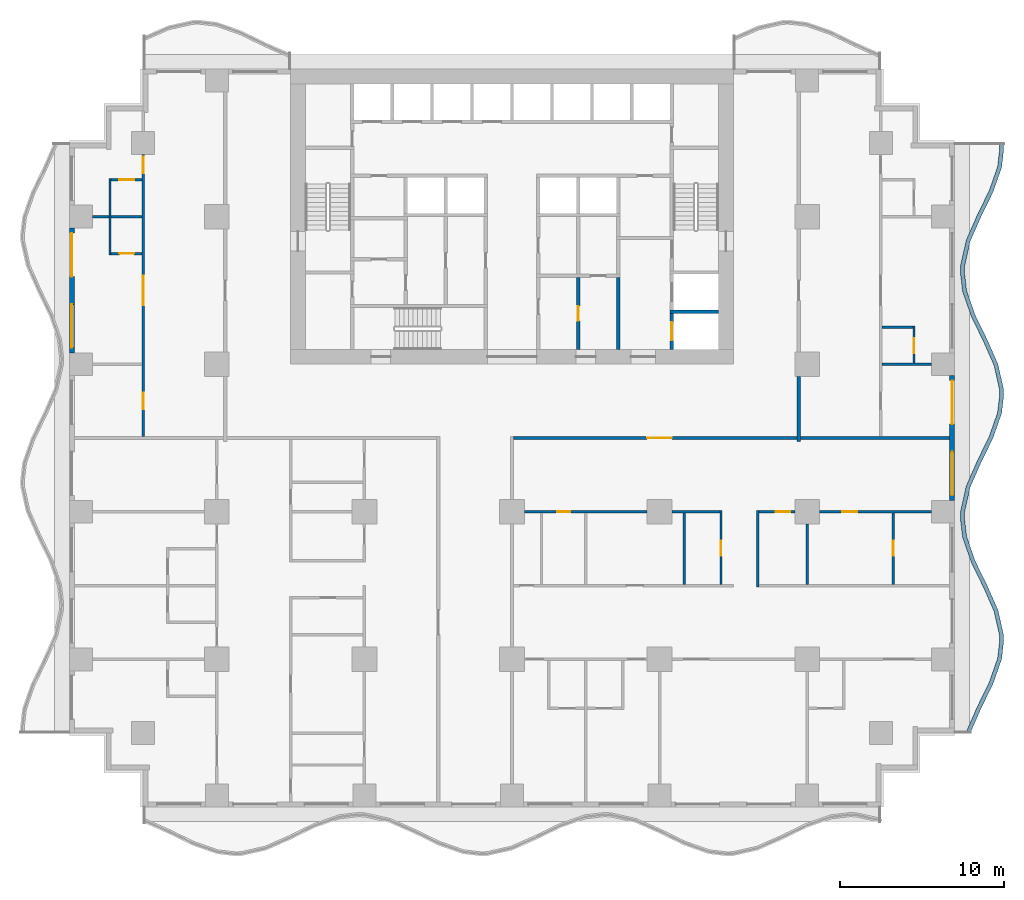
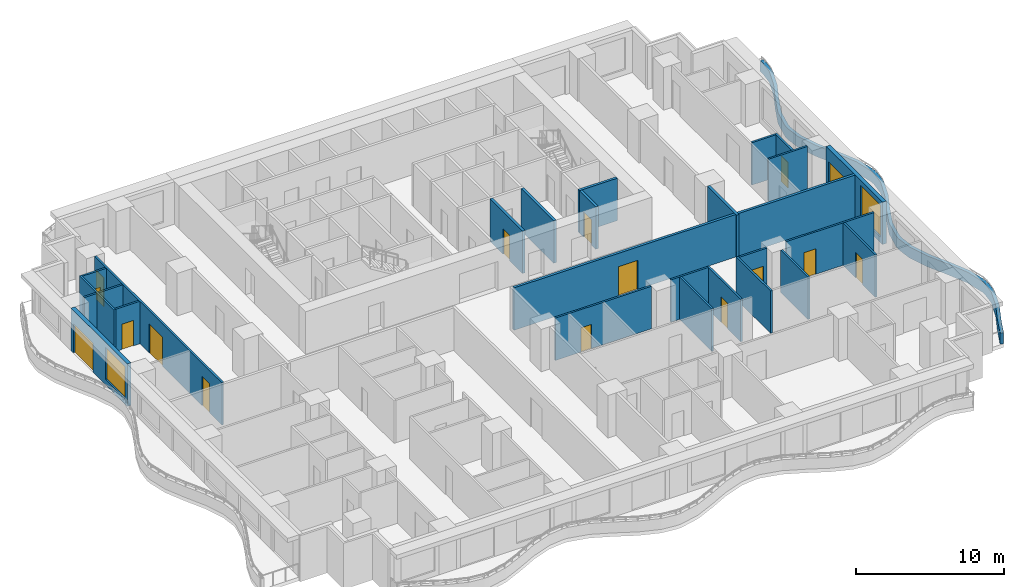
# One storey, part 4 of 14: 28 walls, 16 doors, 2 windows, 18 openings.
"""IFC4 building model written with IfcOpenShell, lengths in metres."""

from ifc_helpers import new_model, si_unit, direction, frame, frame_2d, origin, place, context, subcontext, project, spatial, polyline, rectangle, outline, extrude, material, layer, layer_set, type_object, element, fill, save


model = new_model("IFC4")

# Units and contexts
model_context = context("Model", 3, precision=1e-05, world=origin(), true_north=direction((0.0, 1.0)))
body_context = subcontext(model_context, "Body", "Model", "MODEL_VIEW")
ifc_project = project(units=[si_unit("LENGTHUNIT", "METRE"), si_unit("AREAUNIT", "SQUARE_METRE"), si_unit("VOLUMEUNIT", "CUBIC_METRE"), si_unit("PLANEANGLEUNIT", "RADIAN"), si_unit("MASSUNIT", "GRAM", prefix="KILO")], contexts=[model_context])

# Site, building, storey
site_placement = place(None, origin())
site = spatial("IfcSite", under=ifc_project, at=site_placement, CompositionType="ELEMENT")
building_placement = place(site_placement, origin())
building = spatial("IfcBuilding", under=site, at=building_placement, Name="Orbiselva Terraces", CompositionType="ELEMENT")
storey_placement = place(building_placement, frame((0.0, 0.0, 41.6)))
storey = spatial("IfcBuildingStorey", under=building, at=storey_placement, Name="L10", CompositionType="ELEMENT", Elevation=41.6)

# Wall, opening, door
ifc_material_1 = material(Name="Masonry blockwork", Category="masonry")
ifc_layer_1 = layer(ifc_material_1, 0.2)
ifc_layer_set_1 = layer_set([ifc_layer_1], Name="Masonry blockwork")
wall_type_1 = type_object("IfcWallType", Name="CORE-WALL-PARTITION-200", PredefinedType="PARTITIONING", material=ifc_layer_set_1)
wall_1_placement = place(storey_placement, frame((4.0375, 9.8, 0.0), z_axis=(0.0, 0.0, 1.0), x_axis=(0.0, -1.0, 0.0)))
wall_1 = element("IfcWall", 1, at=wall_1_placement, inside=storey, type_object=wall_type_1, Name="L10 core wall 36", PredefinedType="PARTITIONING", context=body_context, shape_type="SweptSolid", body=[
    extrude(rectangle(XDim=4.4, YDim=0.2, at=frame_2d((2.2, 0.0))), origin(), (0.0, 0.0, 1.0), 3.5),
])
opening_1_placement = place(wall_1_placement, frame((1.75, 0.0, 0.0)))
opening_1 = element("IfcOpeningElement", 2, at=opening_1_placement, cuts=wall_1, Name="Opening DR900", PredefinedType="OPENING", context=body_context, shape_type="SweptSolid", body=[
    extrude(rectangle(XDim=0.9, YDim=2.1, at=frame_2d((0.45, 1.05))), frame((0.0, 0.11, 0.0), z_axis=(0.0, -1.0, 0.0), x_axis=(1.0, 0.0, 0.0)), (0.0, 0.0, 1.0), 0.22),
])
ifc_material_2 = material(Name="Steel fire door", Category="steel")
door_type_1 = type_object("IfcDoorType", Name="ROOM DOOR 900", OperationType="NOTDEFINED", PredefinedType="DOOR", material=ifc_material_2)
door_1_placement = place(opening_1_placement, origin())
door_1 = element("IfcDoor", 3, at=door_1_placement, inside=storey, type_object=door_type_1, Name="L10 SPARE PARTS STORE door", OperationType="SINGLE_SWING_LEFT", OverallHeight=2.1, OverallWidth=0.9, PredefinedType="DOOR", context=body_context, shape_type="SweptSolid", body=[
    extrude(rectangle(XDim=0.9, YDim=2.1, at=frame_2d((0.45, 1.05))), frame((0.0, 0.025, 0.0), z_axis=(0.0, -1.0, 0.0), x_axis=(1.0, 0.0, 0.0)), (0.0, 0.0, 1.0), 0.05),
])
fill(opening_1, door_1)

# Wall
ifc_material_3 = material(Name="Concrete C60/75", Category="concrete")
ifc_layer_2 = layer(ifc_material_3, 0.2)
ifc_layer_set_2 = layer_set([ifc_layer_2], Name="Concrete C60/75")
wall_type_2 = type_object("IfcWallType", Name="CORE-WALL-SHEAR-200", PredefinedType="SHEAR", material=ifc_layer_set_2)
wall_2_placement = place(storey_placement, frame((6.475, 5.4, 0.0), z_axis=(0.0, 0.0, 1.0), x_axis=(0.0, 1.0, 0.0)))
element("IfcWall", 4, at=wall_2_placement, inside=storey, type_object=wall_type_2, Name="L10 core wall 40", PredefinedType="SHEAR", context=body_context, shape_type="SweptSolid", body=[
    extrude(rectangle(XDim=4.4, YDim=0.2, at=frame_2d((2.2, 0.0))), origin(), (0.0, 0.0, 1.0), 3.5),
])

# Wall, opening, door
wall_3_placement = place(storey_placement, frame((9.75, 5.4, 0.0), z_axis=(0.0, 0.0, 1.0), x_axis=(0.0, 1.0, 0.0)))
wall_3 = element("IfcWall", 5, at=wall_3_placement, inside=storey, type_object=wall_type_2, Name="L10 core wall 46", PredefinedType="SHEAR", context=body_context, shape_type="SweptSolid", body=[
    extrude(rectangle(XDim=2.2, YDim=0.2, at=frame_2d((1.1, 0.0))), origin(), (0.0, 0.0, 1.0), 3.5),
])
opening_2_placement = place(wall_3_placement, frame((0.55, 0.0, 0.0)))
opening_2 = element("IfcOpeningElement", 6, at=opening_2_placement, cuts=wall_3, Name="Opening LD-FF1", PredefinedType="OPENING", context=body_context, shape_type="SweptSolid", body=[
    extrude(rectangle(XDim=1.1, YDim=2.1, at=frame_2d((0.55, 1.05))), frame((0.0, 0.11, 0.0), z_axis=(0.0, -1.0, 0.0), x_axis=(1.0, 0.0, 0.0)), (0.0, 0.0, 1.0), 0.22),
])
ifc_material_4 = material(Name="Stainless steel landing door", Category="steel")
door_type_2 = type_object("IfcDoorType", Name="LANDING DOOR 1100", OperationType="SLIDING_TO_LEFT", PredefinedType="DOOR", material=ifc_material_4)
door_2_placement = place(opening_2_placement, origin())
door_2 = element("IfcDoor", 7, at=door_2_placement, inside=storey, type_object=door_type_2, Name="L10 landing door FF1", OperationType="SLIDING_TO_RIGHT", OverallHeight=2.1, OverallWidth=1.1, PredefinedType="DOOR", context=body_context, shape_type="SweptSolid", body=[
    extrude(rectangle(XDim=1.1, YDim=2.1, at=frame_2d((0.55, 1.05))), frame((0.0, 0.025, 0.0), z_axis=(0.0, -1.0, 0.0), x_axis=(1.0, 0.0, 0.0)), (0.0, 0.0, 1.0), 0.05),
])
fill(opening_2, door_2)

# Walls
wall_4_placement = place(storey_placement, frame((9.65, 7.7, 0.0), z_axis=(0.0, 0.0, 1.0), x_axis=(1.0, 0.0, 0.0)))
element("IfcWall", 8, at=wall_4_placement, inside=storey, type_object=wall_type_2, Name="L10 core wall 47", PredefinedType="SHEAR", context=body_context, shape_type="SweptSolid", body=[
    extrude(rectangle(XDim=2.95, YDim=0.2, at=frame_2d((1.475, 0.0))), origin(), (0.0, 0.0, 1.0), 3.5),
])
ifc_material_5 = material(Name="Concrete C40/50", Category="concrete")
ifc_layer_3 = layer(ifc_material_5, 0.25)
ifc_layer_set_3 = layer_set([ifc_layer_3], Name="Concrete C40/50")
wall_type_3 = type_object("IfcWallType", Name="ENV-PLANTER-250x900", PredefinedType="USERDEFINED", material=ifc_layer_set_3)
wall_5_placement = place(storey_placement, origin())
element("IfcWall", 9, at=wall_5_placement, inside=storey, type_object=wall_type_3, Name="Balcony planter L10 E", ObjectType="PLANTER", PredefinedType="USERDEFINED", context=body_context, shape_type="SweptSolid", body=[
    extrude(outline(polyline([(27.951472, -18.0), (28.612279, -16.5), (29.344789, -15.0), (29.869208, -13.5), (30.0, -12.375), (29.985226, -12.0), (29.648528, -10.5), (28.987721, -9.0), (28.255211, -7.5), (27.730792, -6.0), (27.6, -4.875), (27.614774, -4.5), (27.951472, -3.0), (28.612279, -1.5), (29.344789, 0.0), (29.869208, 1.5), (30.0, 2.625), (29.985226, 3.0), (29.648528, 4.5), (28.987721, 6.0), (28.255211, 7.5), (27.730792, 9.0), (27.6, 10.125), (27.614774, 10.5), (27.951472, 12.0), (28.612279, 13.5), (29.344789, 15.0), (29.869208, 16.5), (30.0, 17.625), (29.985226, 18.0), (29.73542, 17.990158), (29.749429, 17.634572), (29.624078, 16.556371), (29.113667, 15.09644), (28.385477, 13.605286), (27.712874, 12.078508), (27.365863, 10.532565), (27.349429, 10.115428), (27.485662, 8.943629), (28.024089, 7.40356), (28.760919, 5.894714), (29.40993, 4.421492), (29.736315, 2.967435), (29.749429, 2.634572), (29.624078, 1.556371), (29.113667, 0.09644), (28.385477, -1.394714), (27.712874, -2.921492), (27.365863, -4.467435), (27.349429, -4.884572), (27.485662, -6.056371), (28.024089, -7.59644), (28.760919, -9.105286), (29.40993, -10.578508), (29.736315, -12.032565), (29.749429, -12.365428), (29.624078, -13.443629), (29.113667, -14.90356), (28.385477, -16.394714), (27.722689, -17.899212), (27.951472, -18.0)])), origin(), (0.0, 0.0, 1.0), 0.9),
])

# Wall, openings, door, window
ifc_material_6 = material(Name="Terracotta cladding on masonry backing", Category="masonry")
ifc_layer_4 = layer(ifc_material_6, 0.3)
ifc_layer_set_4 = layer_set([ifc_layer_4], Name="Terracotta cladding on masonry backing")
wall_type_4 = type_object("IfcWallType", Name="ENV-WALL-TERRACOTTA-300", PredefinedType="SOLIDWALL", material=ifc_layer_set_4)
wall_6_placement = place(storey_placement, frame((26.85, 3.8, 0.0), z_axis=(0.0, 0.0, 1.0), x_axis=(0.0, -1.0, 0.0)))
wall_6 = element("IfcWall", 10, at=wall_6_placement, inside=storey, type_object=wall_type_4, Name="Facade wall L10 E", PredefinedType="SOLIDWALL", context=body_context, shape_type="SweptSolid", body=[
    extrude(rectangle(XDim=7.6, YDim=0.3, at=frame_2d((3.8, 0.0))), origin(), (0.0, 0.0, 1.0), 3.5),
])
opening_3_placement = place(wall_6_placement, frame((4.65, 0.0, 0.45)))
opening_3 = element("IfcOpeningElement", 11, at=opening_3_placement, cuts=wall_6, Name="Opening WN3", PredefinedType="OPENING", context=body_context, shape_type="SweptSolid", body=[
    extrude(rectangle(XDim=2.65, YDim=2.65, at=frame_2d((1.325, 1.325))), frame((0.0, 0.16, 0.0), z_axis=(0.0, -1.0, 0.0), x_axis=(1.0, 0.0, 0.0)), (0.0, 0.0, 1.0), 0.32),
])
opening_4_placement = place(wall_6_placement, frame((0.3, 0.0, 0.0)))
opening_4 = element("IfcOpeningElement", 12, at=opening_4_placement, cuts=wall_6, Name="Opening Z1-C-E18", PredefinedType="OPENING", context=body_context, shape_type="SweptSolid", body=[
    extrude(rectangle(XDim=2.65, YDim=2.4, at=frame_2d((1.325, 1.2))), frame((0.0, 0.16, 0.0), z_axis=(0.0, -1.0, 0.0), x_axis=(1.0, 0.0, 0.0)), (0.0, 0.0, 1.0), 0.32),
])
ifc_material_7 = material(Name="Clear low-e glazing in aluminium frame", Category="aluminium")
door_type_3 = type_object("IfcDoorType", Name="BALCONY DOOR 2650 X 2400", OperationType="DOUBLE_DOOR_SLIDING", PredefinedType="DOOR", material=ifc_material_7)
door_3_placement = place(opening_4_placement, origin())
door_3 = element("IfcDoor", 13, at=door_3_placement, inside=storey, type_object=door_type_3, Name="Z1-C-E18", OperationType="SINGLE_SWING_LEFT", OverallHeight=2.4, OverallWidth=2.65, PredefinedType="DOOR", context=body_context, shape_type="SweptSolid", body=[
    extrude(rectangle(XDim=2.65, YDim=2.4, at=frame_2d((1.325, 1.2))), frame((0.0, 0.025, 0.0), z_axis=(0.0, -1.0, 0.0), x_axis=(1.0, 0.0, 0.0)), (0.0, 0.0, 1.0), 0.05),
])
fill(opening_4, door_3)
window_type = type_object("IfcWindowType", Name="WINDOW 2650 X 2650 S450", PartitioningType="TRIPLE_PANEL_VERTICAL", PredefinedType="WINDOW", material=ifc_material_7)
window_1_placement = place(opening_3_placement, origin())
window_1 = element("IfcWindow", 14, at=window_1_placement, inside=storey, type_object=window_type, Name="Window L10 E", OverallHeight=2.65, OverallWidth=2.65, PartitioningType="SINGLE_PANEL", PredefinedType="WINDOW", context=body_context, shape_type="SweptSolid", body=[
    extrude(rectangle(XDim=2.65, YDim=2.65, at=frame_2d((1.325, 1.325))), frame((0.0, 0.03, 0.0), z_axis=(0.0, -1.0, 0.0), x_axis=(1.0, 0.0, 0.0)), (0.0, 0.0, 1.0), 0.06),
])
fill(opening_3, window_1)

wall_7_placement = place(storey_placement, frame((-26.85, 5.2, 0.0), z_axis=(0.0, 0.0, 1.0), x_axis=(0.0, 1.0, 0.0)))
wall_7 = element("IfcWall", 15, at=wall_7_placement, inside=storey, type_object=wall_type_4, Name="Facade wall L10 W", PredefinedType="SOLIDWALL", context=body_context, shape_type="SweptSolid", body=[
    extrude(rectangle(XDim=7.6, YDim=0.3, at=frame_2d((3.8, 0.0))), origin(), (0.0, 0.0, 1.0), 3.5),
])
opening_5_placement = place(wall_7_placement, frame((4.65, 0.0, 0.0)))
opening_5 = element("IfcOpeningElement", 16, at=opening_5_placement, cuts=wall_7, Name="Opening Z1-C-E22", PredefinedType="OPENING", context=body_context, shape_type="SweptSolid", body=[
    extrude(rectangle(XDim=2.65, YDim=2.4, at=frame_2d((1.325, 1.2))), frame((0.0, 0.16, 0.0), z_axis=(0.0, -1.0, 0.0), x_axis=(1.0, 0.0, 0.0)), (0.0, 0.0, 1.0), 0.32),
])
opening_6_placement = place(wall_7_placement, frame((0.3, 0.0, 0.45)))
opening_6 = element("IfcOpeningElement", 17, at=opening_6_placement, cuts=wall_7, Name="Opening WN3", PredefinedType="OPENING", context=body_context, shape_type="SweptSolid", body=[
    extrude(rectangle(XDim=2.65, YDim=2.65, at=frame_2d((1.325, 1.325))), frame((0.0, 0.16, 0.0), z_axis=(0.0, -1.0, 0.0), x_axis=(1.0, 0.0, 0.0)), (0.0, 0.0, 1.0), 0.32),
])
door_4_placement = place(opening_5_placement, origin())
door_4 = element("IfcDoor", 18, at=door_4_placement, inside=storey, type_object=door_type_3, Name="Z1-C-E22", OperationType="SINGLE_SWING_LEFT", OverallHeight=2.4, OverallWidth=2.65, PredefinedType="DOOR", context=body_context, shape_type="SweptSolid", body=[
    extrude(rectangle(XDim=2.65, YDim=2.4, at=frame_2d((1.325, 1.2))), frame((0.0, 0.025, 0.0), z_axis=(0.0, -1.0, 0.0), x_axis=(1.0, 0.0, 0.0)), (0.0, 0.0, 1.0), 0.05),
])
fill(opening_5, door_4)
window_2_placement = place(opening_6_placement, origin())
window_2 = element("IfcWindow", 19, at=window_2_placement, inside=storey, type_object=window_type, Name="Window L10 W", OverallHeight=2.65, OverallWidth=2.65, PartitioningType="SINGLE_PANEL", PredefinedType="WINDOW", context=body_context, shape_type="SweptSolid", body=[
    extrude(rectangle(XDim=2.65, YDim=2.65, at=frame_2d((1.325, 1.325))), frame((0.0, 0.03, 0.0), z_axis=(0.0, -1.0, 0.0), x_axis=(1.0, 0.0, 0.0)), (0.0, 0.0, 1.0), 0.06),
])
fill(opening_6, window_2)

# Wall, opening, door
ifc_material_8 = material(Name="Plasterboard on steel stud partition", Category="steel")
ifc_layer_5 = layer(ifc_material_8, 0.2)
ifc_layer_set_5 = layer_set([ifc_layer_5], Name="Plasterboard on steel stud partition")
wall_type_5 = type_object("IfcWallType", Name="UNIT-ENTRANCE-WALL-200", PredefinedType="PARTITIONING", material=ifc_layer_set_5)
wall_8_placement = place(storey_placement, frame((17.4, 0.0, 0.0), z_axis=(0.0, 0.0, 1.0), x_axis=(-1.0, 0.0, 0.0)))
wall_8 = element("IfcWall", 20, at=wall_8_placement, inside=storey, type_object=wall_type_5, Name="PARTITION L10-028", PredefinedType="PARTITIONING", context=body_context, shape_type="SweptSolid", body=[
    extrude(rectangle(XDim=17.3, YDim=0.2, at=frame_2d((8.65, 0.0))), origin(), (0.0, 0.0, 1.0), 3.5),
])
opening_7_placement = place(wall_8_placement, frame((7.65, 0.0, 0.0)))
opening_7 = element("IfcOpeningElement", 21, at=opening_7_placement, cuts=wall_8, Name="Opening Z1-C-28", PredefinedType="OPENING", context=body_context, shape_type="SweptSolid", body=[
    extrude(rectangle(XDim=1.5, YDim=2.4, at=frame_2d((0.75, 1.2))), frame((0.0, 0.11, 0.0), z_axis=(0.0, -1.0, 0.0), x_axis=(1.0, 0.0, 0.0)), (0.0, 0.0, 1.0), 0.22),
])
ifc_material_9 = material(Name="Painted timber door leaf", Category="wood")
door_type_4 = type_object("IfcDoorType", Name="ENTRANCE DOUBLE DOOR 1500", OperationType="NOTDEFINED", PredefinedType="DOOR", material=ifc_material_9)
door_5_placement = place(opening_7_placement, origin())
door_5 = element("IfcDoor", 22, at=door_5_placement, inside=storey, type_object=door_type_4, Name="Z1-C-28", OperationType="DOUBLE_DOOR_SINGLE_SWING", OverallHeight=2.4, OverallWidth=1.5, PredefinedType="DOOR", context=body_context, shape_type="SweptSolid", body=[
    extrude(rectangle(XDim=1.5, YDim=2.4, at=frame_2d((0.75, 1.2))), frame((0.0, 0.025, 0.0), z_axis=(0.0, -1.0, 0.0), x_axis=(1.0, 0.0, 0.0)), (0.0, 0.0, 1.0), 0.05),
])
fill(opening_7, door_5)

# Wall
wall_9_placement = place(storey_placement, frame((17.5, -0.2, 0.0), z_axis=(0.0, 0.0, 1.0), x_axis=(0.0, 1.0, 0.0)))
element("IfcWall", 23, at=wall_9_placement, inside=storey, type_object=wall_type_5, Name="PARTITION L10-070", PredefinedType="PARTITIONING", context=body_context, shape_type="SweptSolid", body=[
    extrude(rectangle(XDim=3.95, YDim=0.2, at=frame_2d((1.975, 0.0))), origin(), (0.0, 0.0, 1.0), 3.5),
])

# Wall, opening, door
ifc_layer_6 = layer(ifc_material_8, 0.15)
ifc_layer_set_6 = layer_set([ifc_layer_6], Name="Plasterboard on steel stud partition")
wall_type_6 = type_object("IfcWallType", Name="UNIT-PARTITION-150", PredefinedType="PARTITIONING", material=ifc_layer_set_6)
wall_10_placement = place(storey_placement, frame((8.25, -4.5, 0.0), z_axis=(0.0, 0.0, 1.0), x_axis=(-1.0, 0.0, 0.0)))
wall_10 = element("IfcWall", 24, at=wall_10_placement, inside=storey, type_object=wall_type_6, Name="PARTITION L10-022", PredefinedType="PARTITIONING", context=body_context, shape_type="SweptSolid", body=[
    extrude(rectangle(XDim=7.5, YDim=0.15, at=frame_2d((3.75, 0.0))), origin(), (0.0, 0.0, 1.0), 3.5),
])
opening_8_placement = place(wall_10_placement, frame((4.7, 0.0, 0.0)))
opening_8 = element("IfcOpeningElement", 25, at=opening_8_placement, cuts=wall_10, Name="Opening Z1-C-30", PredefinedType="OPENING", context=body_context, shape_type="SweptSolid", body=[
    extrude(rectangle(XDim=0.8, YDim=2.0, at=frame_2d((0.4, 1.0))), frame((0.0, 0.085, 0.0), z_axis=(0.0, -1.0, 0.0), x_axis=(1.0, 0.0, 0.0)), (0.0, 0.0, 1.0), 0.17),
])
door_type_5 = type_object("IfcDoorType", Name="STORE DOOR 800", OperationType="NOTDEFINED", PredefinedType="DOOR", material=ifc_material_9)
door_6_placement = place(opening_8_placement, origin())
door_6 = element("IfcDoor", 26, at=door_6_placement, inside=storey, type_object=door_type_5, Name="Z1-C-30", OperationType="SINGLE_SWING_RIGHT", OverallHeight=2.0, OverallWidth=0.8, PredefinedType="DOOR", context=body_context, shape_type="SweptSolid", body=[
    extrude(rectangle(XDim=0.8, YDim=2.0, at=frame_2d((0.4, 1.0))), frame((0.0, 0.025, 0.0), z_axis=(0.0, -1.0, 0.0), x_axis=(1.0, 0.0, 0.0)), (0.0, 0.0, 1.0), 0.05),
])
fill(opening_8, door_6)

# Wall
wall_11_placement = place(storey_placement, frame((9.75, -4.5, 0.0), z_axis=(0.0, 0.0, 1.0), x_axis=(1.0, 0.0, 0.0)))
element("IfcWall", 27, at=wall_11_placement, inside=storey, type_object=wall_type_6, Name="PARTITION L10-023", PredefinedType="PARTITIONING", context=body_context, shape_type="SweptSolid", body=[
    extrude(rectangle(XDim=2.925, YDim=0.15, at=frame_2d((1.4625, 0.0))), origin(), (0.0, 0.0, 1.0), 3.5),
])

# Wall, opening, door
wall_12_placement = place(storey_placement, frame((17.25, -4.5, 0.0), z_axis=(0.0, 0.0, 1.0), x_axis=(-1.0, 0.0, 0.0)))
wall_12 = element("IfcWall", 28, at=wall_12_placement, inside=storey, type_object=wall_type_6, Name="PARTITION L10-024", PredefinedType="PARTITIONING", context=body_context, shape_type="SweptSolid", body=[
    extrude(rectangle(XDim=2.175, YDim=0.15, at=frame_2d((1.0875, 0.0))), origin(), (0.0, 0.0, 1.0), 3.5),
])
opening_9_placement = place(wall_12_placement, frame((0.275, 0.0, 0.0)))
opening_9 = element("IfcOpeningElement", 29, at=opening_9_placement, cuts=wall_12, Name="Opening Z1-C-33", PredefinedType="OPENING", context=body_context, shape_type="SweptSolid", body=[
    extrude(rectangle(XDim=0.9, YDim=2.1, at=frame_2d((0.45, 1.05))), frame((0.0, 0.085, 0.0), z_axis=(0.0, -1.0, 0.0), x_axis=(1.0, 0.0, 0.0)), (0.0, 0.0, 1.0), 0.17),
])
door_type_6 = type_object("IfcDoorType", Name="SERVICE DOOR 900", OperationType="NOTDEFINED", PredefinedType="DOOR", material=ifc_material_9)
door_7_placement = place(opening_9_placement, origin())
door_7 = element("IfcDoor", 30, at=door_7_placement, inside=storey, type_object=door_type_6, Name="Z1-C-33", OperationType="SINGLE_SWING_LEFT", OverallHeight=2.1, OverallWidth=0.9, PredefinedType="DOOR", context=body_context, shape_type="SweptSolid", body=[
    extrude(rectangle(XDim=0.9, YDim=2.1, at=frame_2d((0.45, 1.05))), frame((0.0, 0.025, 0.0), z_axis=(0.0, -1.0, 0.0), x_axis=(1.0, 0.0, 0.0)), (0.0, 0.0, 1.0), 0.05),
])
fill(opening_9, door_7)

wall_13_placement = place(storey_placement, frame((25.6, -4.5, 0.0), z_axis=(0.0, 0.0, 1.0), x_axis=(-1.0, 0.0, 0.0)))
wall_13 = element("IfcWall", 31, at=wall_13_placement, inside=storey, type_object=wall_type_6, Name="PARTITION L10-025", PredefinedType="PARTITIONING", context=body_context, shape_type="SweptSolid", body=[
    extrude(rectangle(XDim=6.85, YDim=0.15, at=frame_2d((3.425, 0.0))), origin(), (0.0, 0.0, 1.0), 3.5),
])
opening_10_placement = place(wall_13_placement, frame((4.55, 0.0, 0.0)))
opening_10 = element("IfcOpeningElement", 32, at=opening_10_placement, cuts=wall_13, Name="Opening Z1-C-34", PredefinedType="OPENING", context=body_context, shape_type="SweptSolid", body=[
    extrude(rectangle(XDim=0.9, YDim=2.1, at=frame_2d((0.45, 1.05))), frame((0.0, 0.085, 0.0), z_axis=(0.0, -1.0, 0.0), x_axis=(1.0, 0.0, 0.0)), (0.0, 0.0, 1.0), 0.17),
])
door_8_placement = place(opening_10_placement, origin())
door_8 = element("IfcDoor", 33, at=door_8_placement, inside=storey, type_object=door_type_6, Name="Z1-C-34", OperationType="SINGLE_SWING_RIGHT", OverallHeight=2.1, OverallWidth=0.9, PredefinedType="DOOR", context=body_context, shape_type="SweptSolid", body=[
    extrude(rectangle(XDim=0.9, YDim=2.1, at=frame_2d((0.45, 1.05))), frame((0.0, 0.025, 0.0), z_axis=(0.0, -1.0, 0.0), x_axis=(1.0, 0.0, 0.0)), (0.0, 0.0, 1.0), 0.05),
])
fill(opening_10, door_8)

# Walls
wall_14_placement = place(storey_placement, frame((22.575, 4.5, 0.0), z_axis=(0.0, 0.0, 1.0), x_axis=(1.0, 0.0, 0.0)))
element("IfcWall", 34, at=wall_14_placement, inside=storey, type_object=wall_type_6, Name="PARTITION L10-032", PredefinedType="PARTITIONING", context=body_context, shape_type="SweptSolid", body=[
    extrude(rectangle(XDim=3.025, YDim=0.15, at=frame_2d((1.5125, 0.0))), origin(), (0.0, 0.0, 1.0), 3.5),
])
wall_15_placement = place(storey_placement, frame((22.575, 6.75, 0.0), z_axis=(0.0, 0.0, 1.0), x_axis=(1.0, 0.0, 0.0)))
element("IfcWall", 35, at=wall_15_placement, inside=storey, type_object=wall_type_6, Name="PARTITION L10-033", PredefinedType="PARTITIONING", context=body_context, shape_type="SweptSolid", body=[
    extrude(rectangle(XDim=1.875, YDim=0.15, at=frame_2d((0.9375, 0.0))), origin(), (0.0, 0.0, 1.0), 3.5),
])

# Wall, opening, door
wall_16_placement = place(storey_placement, frame((-24.45, 11.25, 0.0), z_axis=(0.0, 0.0, 1.0), x_axis=(1.0, 0.0, 0.0)))
wall_16 = element("IfcWall", 36, at=wall_16_placement, inside=storey, type_object=wall_type_6, Name="PARTITION L10-034", PredefinedType="PARTITIONING", context=body_context, shape_type="SweptSolid", body=[
    extrude(rectangle(XDim=1.875, YDim=0.15, at=frame_2d((0.9375, 0.0))), origin(), (0.0, 0.0, 1.0), 3.5),
])
opening_11_placement = place(wall_16_placement, frame((0.5, 0.0, 0.0)))
opening_11 = element("IfcOpeningElement", 37, at=opening_11_placement, cuts=wall_16, Name="Opening Z1-C-04", PredefinedType="OPENING", context=body_context, shape_type="SweptSolid", body=[
    extrude(rectangle(XDim=0.9, YDim=2.1, at=frame_2d((0.45, 1.05))), frame((0.0, 0.085, 0.0), z_axis=(0.0, -1.0, 0.0), x_axis=(1.0, 0.0, 0.0)), (0.0, 0.0, 1.0), 0.17),
])
door_type_7 = type_object("IfcDoorType", Name="BATH DOOR 900", OperationType="NOTDEFINED", PredefinedType="DOOR", material=ifc_material_9)
door_9_placement = place(opening_11_placement, origin())
door_9 = element("IfcDoor", 38, at=door_9_placement, inside=storey, type_object=door_type_7, Name="Z1-C-04", OperationType="SINGLE_SWING_RIGHT", OverallHeight=2.1, OverallWidth=0.9, PredefinedType="DOOR", context=body_context, shape_type="SweptSolid", body=[
    extrude(rectangle(XDim=0.9, YDim=2.1, at=frame_2d((0.45, 1.05))), frame((0.0, 0.025, 0.0), z_axis=(0.0, -1.0, 0.0), x_axis=(1.0, 0.0, 0.0)), (0.0, 0.0, 1.0), 0.05),
])
fill(opening_11, door_9)

# Walls
wall_17_placement = place(storey_placement, frame((-25.6, 13.5, 0.0), z_axis=(0.0, 0.0, 1.0), x_axis=(1.0, 0.0, 0.0)))
element("IfcWall", 39, at=wall_17_placement, inside=storey, type_object=wall_type_6, Name="PARTITION L10-035", PredefinedType="PARTITIONING", context=body_context, shape_type="SweptSolid", body=[
    extrude(rectangle(XDim=1.0, YDim=0.15, at=frame_2d((0.5, 0.0))), origin(), (0.0, 0.0, 1.0), 3.5),
])
wall_18_placement = place(storey_placement, frame((-24.45, 13.5, 0.0), z_axis=(0.0, 0.0, 1.0), x_axis=(1.0, 0.0, 0.0)))
element("IfcWall", 40, at=wall_18_placement, inside=storey, type_object=wall_type_6, Name="PARTITION L10-036", PredefinedType="PARTITIONING", context=body_context, shape_type="SweptSolid", body=[
    extrude(rectangle(XDim=1.875, YDim=0.15, at=frame_2d((0.9375, 0.0))), origin(), (0.0, 0.0, 1.0), 3.5),
])

# Wall, opening, door
wall_19_placement = place(storey_placement, frame((-22.575, 15.75, 0.0), z_axis=(0.0, 0.0, 1.0), x_axis=(-1.0, 0.0, 0.0)))
wall_19 = element("IfcWall", 41, at=wall_19_placement, inside=storey, type_object=wall_type_6, Name="PARTITION L10-038", PredefinedType="PARTITIONING", context=body_context, shape_type="SweptSolid", body=[
    extrude(rectangle(XDim=1.875, YDim=0.15, at=frame_2d((0.9375, 0.0))), origin(), (0.0, 0.0, 1.0), 3.5),
])
opening_12_placement = place(wall_19_placement, frame((0.475, 0.0, 0.0)))
opening_12 = element("IfcOpeningElement", 42, at=opening_12_placement, cuts=wall_19, Name="Opening Z1-C-06", PredefinedType="OPENING", context=body_context, shape_type="SweptSolid", body=[
    extrude(rectangle(XDim=0.9, YDim=2.1, at=frame_2d((0.45, 1.05))), frame((0.0, 0.085, 0.0), z_axis=(0.0, -1.0, 0.0), x_axis=(1.0, 0.0, 0.0)), (0.0, 0.0, 1.0), 0.17),
])
door_10_placement = place(opening_12_placement, origin())
door_10 = element("IfcDoor", 43, at=door_10_placement, inside=storey, type_object=door_type_7, Name="Z1-C-06", OperationType="SINGLE_SWING_LEFT", OverallHeight=2.1, OverallWidth=0.9, PredefinedType="DOOR", context=body_context, shape_type="SweptSolid", body=[
    extrude(rectangle(XDim=0.9, YDim=2.1, at=frame_2d((0.45, 1.05))), frame((0.0, 0.025, 0.0), z_axis=(0.0, -1.0, 0.0), x_axis=(1.0, 0.0, 0.0)), (0.0, 0.0, 1.0), 0.05),
])
fill(opening_12, door_10)

# Wall
wall_20_placement = place(storey_placement, frame((-24.525, 11.175, 0.0), z_axis=(0.0, 0.0, 1.0), x_axis=(0.0, 1.0, 0.0)))
element("IfcWall", 44, at=wall_20_placement, inside=storey, type_object=wall_type_6, Name="PARTITION L10-040", PredefinedType="PARTITIONING", context=body_context, shape_type="SweptSolid", body=[
    extrude(rectangle(XDim=4.65, YDim=0.15, at=frame_2d((2.325, 0.0))), origin(), (0.0, 0.0, 1.0), 3.5),
])

# Wall, openings, doors
wall_21_placement = place(storey_placement, frame((-22.5, 0.1, 0.0), z_axis=(0.0, 0.0, 1.0), x_axis=(0.0, 1.0, 0.0)))
wall_21 = element("IfcWall", 45, at=wall_21_placement, inside=storey, type_object=wall_type_6, Name="PARTITION L10-041", PredefinedType="PARTITIONING", context=body_context, shape_type="SweptSolid", body=[
    extrude(rectangle(XDim=17.2, YDim=0.15, at=frame_2d((8.6, 0.0))), origin(), (0.0, 0.0, 1.0), 3.5),
])
opening_13_placement = place(wall_21_placement, frame((1.65, 0.0, 0.0)))
opening_13 = element("IfcOpeningElement", 46, at=opening_13_placement, cuts=wall_21, Name="Opening Z1-C-02", PredefinedType="OPENING", context=body_context, shape_type="SweptSolid", body=[
    extrude(rectangle(XDim=1.0, YDim=2.4, at=frame_2d((0.5, 1.2))), frame((0.0, 0.085, 0.0), z_axis=(0.0, -1.0, 0.0), x_axis=(1.0, 0.0, 0.0)), (0.0, 0.0, 1.0), 0.17),
])
opening_14_placement = place(wall_21_placement, frame((8.0, 0.0, 0.0)))
opening_14 = element("IfcOpeningElement", 47, at=opening_14_placement, cuts=wall_21, Name="Opening Z1-C-03", PredefinedType="OPENING", context=body_context, shape_type="SweptSolid", body=[
    extrude(rectangle(XDim=1.8, YDim=2.4, at=frame_2d((0.9, 1.2))), frame((0.0, 0.085, 0.0), z_axis=(0.0, -1.0, 0.0), x_axis=(1.0, 0.0, 0.0)), (0.0, 0.0, 1.0), 0.17),
])
opening_15_placement = place(wall_21_placement, frame((16.05, 0.0, 0.0)))
opening_15 = element("IfcOpeningElement", 48, at=opening_15_placement, cuts=wall_21, Name="Opening Z1-C-05", PredefinedType="OPENING", context=body_context, shape_type="SweptSolid", body=[
    extrude(rectangle(XDim=1.0, YDim=2.4, at=frame_2d((0.5, 1.2))), frame((0.0, 0.085, 0.0), z_axis=(0.0, -1.0, 0.0), x_axis=(1.0, 0.0, 0.0)), (0.0, 0.0, 1.0), 0.17),
])
door_type_8 = type_object("IfcDoorType", Name="DOUBLE DOOR 1800", OperationType="NOTDEFINED", PredefinedType="DOOR", material=ifc_material_9)
door_11_placement = place(opening_14_placement, origin())
door_11 = element("IfcDoor", 49, at=door_11_placement, inside=storey, type_object=door_type_8, Name="Z1-C-03", OperationType="DOUBLE_DOOR_SINGLE_SWING", OverallHeight=2.4, OverallWidth=1.8, PredefinedType="DOOR", context=body_context, shape_type="SweptSolid", body=[
    extrude(rectangle(XDim=1.8, YDim=2.4, at=frame_2d((0.9, 1.2))), frame((0.0, 0.025, 0.0), z_axis=(0.0, -1.0, 0.0), x_axis=(1.0, 0.0, 0.0)), (0.0, 0.0, 1.0), 0.05),
])
fill(opening_14, door_11)
door_type_9 = type_object("IfcDoorType", Name="ROOM DOOR 1000", OperationType="NOTDEFINED", PredefinedType="DOOR", material=ifc_material_9)
door_12_placement = place(opening_13_placement, origin())
door_12 = element("IfcDoor", 50, at=door_12_placement, inside=storey, type_object=door_type_9, Name="Z1-C-02", OperationType="SINGLE_SWING_LEFT", OverallHeight=2.4, OverallWidth=1.0, PredefinedType="DOOR", context=body_context, shape_type="SweptSolid", body=[
    extrude(rectangle(XDim=1.0, YDim=2.4, at=frame_2d((0.5, 1.2))), frame((0.0, 0.025, 0.0), z_axis=(0.0, -1.0, 0.0), x_axis=(1.0, 0.0, 0.0)), (0.0, 0.0, 1.0), 0.05),
])
fill(opening_13, door_12)
door_13_placement = place(opening_15_placement, origin())
door_13 = element("IfcDoor", 51, at=door_13_placement, inside=storey, type_object=door_type_9, Name="Z1-C-05", OperationType="SINGLE_SWING_RIGHT", OverallHeight=2.4, OverallWidth=1.0, PredefinedType="DOOR", context=body_context, shape_type="SweptSolid", body=[
    extrude(rectangle(XDim=1.0, YDim=2.4, at=frame_2d((0.5, 1.2))), frame((0.0, 0.025, 0.0), z_axis=(0.0, -1.0, 0.0), x_axis=(1.0, 0.0, 0.0)), (0.0, 0.0, 1.0), 0.05),
])
fill(opening_15, door_13)

# Wall
wall_22_placement = place(storey_placement, frame((10.5, -8.925, 0.0), z_axis=(0.0, 0.0, 1.0), x_axis=(0.0, 1.0, 0.0)))
element("IfcWall", 52, at=wall_22_placement, inside=storey, type_object=wall_type_6, Name="PARTITION L10-067", PredefinedType="PARTITIONING", context=body_context, shape_type="SweptSolid", body=[
    extrude(rectangle(XDim=4.35, YDim=0.15, at=frame_2d((2.175, 0.0))), origin(), (0.0, 0.0, 1.0), 3.5),
])

# Wall, opening, door
wall_23_placement = place(storey_placement, frame((12.75, -8.925, 0.0), z_axis=(0.0, 0.0, 1.0), x_axis=(0.0, 1.0, 0.0)))
wall_23 = element("IfcWall", 53, at=wall_23_placement, inside=storey, type_object=wall_type_6, Name="PARTITION L10-068", PredefinedType="PARTITIONING", context=body_context, shape_type="SweptSolid", body=[
    extrude(rectangle(XDim=4.5, YDim=0.15, at=frame_2d((2.25, 0.0))), origin(), (0.0, 0.0, 1.0), 3.5),
])
opening_16_placement = place(wall_23_placement, frame((1.75, 0.0, 0.0)))
opening_16 = element("IfcOpeningElement", 54, at=opening_16_placement, cuts=wall_23, Name="Opening Z1-C-32", PredefinedType="OPENING", context=body_context, shape_type="SweptSolid", body=[
    extrude(rectangle(XDim=0.9, YDim=2.1, at=frame_2d((0.45, 1.05))), frame((0.0, 0.085, 0.0), z_axis=(0.0, -1.0, 0.0), x_axis=(1.0, 0.0, 0.0)), (0.0, 0.0, 1.0), 0.17),
])
door_14_placement = place(opening_16_placement, origin())
door_14 = element("IfcDoor", 55, at=door_14_placement, inside=storey, type_object=door_type_7, Name="Z1-C-32", OperationType="SINGLE_SWING_LEFT", OverallHeight=2.1, OverallWidth=0.9, PredefinedType="DOOR", context=body_context, shape_type="SweptSolid", body=[
    extrude(rectangle(XDim=0.9, YDim=2.1, at=frame_2d((0.45, 1.05))), frame((0.0, 0.025, 0.0), z_axis=(0.0, -1.0, 0.0), x_axis=(1.0, 0.0, 0.0)), (0.0, 0.0, 1.0), 0.05),
])
fill(opening_16, door_14)

# Walls
wall_24_placement = place(storey_placement, frame((15.0, -9.075, 0.0), z_axis=(0.0, 0.0, 1.0), x_axis=(0.0, 1.0, 0.0)))
element("IfcWall", 56, at=wall_24_placement, inside=storey, type_object=wall_type_6, Name="PARTITION L10-069", PredefinedType="PARTITIONING", context=body_context, shape_type="SweptSolid", body=[
    extrude(rectangle(XDim=4.65, YDim=0.15, at=frame_2d((2.325, 0.0))), origin(), (0.0, 0.0, 1.0), 3.5),
])
wall_25_placement = place(storey_placement, frame((18.0, -8.925, 0.0), z_axis=(0.0, 0.0, 1.0), x_axis=(0.0, 1.0, 0.0)))
element("IfcWall", 57, at=wall_25_placement, inside=storey, type_object=wall_type_6, Name="PARTITION L10-074", PredefinedType="PARTITIONING", context=body_context, shape_type="SweptSolid", body=[
    extrude(rectangle(XDim=3.675, YDim=0.15, at=frame_2d((1.8375, 0.0))), origin(), (0.0, 0.0, 1.0), 3.5),
])

# Wall, opening, door
wall_26_placement = place(storey_placement, frame((23.25, -4.575, 0.0), z_axis=(0.0, 0.0, 1.0), x_axis=(0.0, -1.0, 0.0)))
wall_26 = element("IfcWall", 58, at=wall_26_placement, inside=storey, type_object=wall_type_6, Name="PARTITION L10-078", PredefinedType="PARTITIONING", context=body_context, shape_type="SweptSolid", body=[
    extrude(rectangle(XDim=4.35, YDim=0.15, at=frame_2d((2.175, 0.0))), origin(), (0.0, 0.0, 1.0), 3.5),
])
opening_17_placement = place(wall_26_placement, frame((1.7, 0.0, 0.0)))
opening_17 = element("IfcOpeningElement", 59, at=opening_17_placement, cuts=wall_26, Name="Opening Z1-C-35", PredefinedType="OPENING", context=body_context, shape_type="SweptSolid", body=[
    extrude(rectangle(XDim=0.9, YDim=2.1, at=frame_2d((0.45, 1.05))), frame((0.0, 0.085, 0.0), z_axis=(0.0, -1.0, 0.0), x_axis=(1.0, 0.0, 0.0)), (0.0, 0.0, 1.0), 0.17),
])
door_15_placement = place(opening_17_placement, origin())
door_15 = element("IfcDoor", 60, at=door_15_placement, inside=storey, type_object=door_type_7, Name="Z1-C-35", OperationType="SINGLE_SWING_LEFT", OverallHeight=2.1, OverallWidth=0.9, PredefinedType="DOOR", context=body_context, shape_type="SweptSolid", body=[
    extrude(rectangle(XDim=0.9, YDim=2.1, at=frame_2d((0.45, 1.05))), frame((0.0, 0.025, 0.0), z_axis=(0.0, -1.0, 0.0), x_axis=(1.0, 0.0, 0.0)), (0.0, 0.0, 1.0), 0.05),
])
fill(opening_17, door_15)

wall_27_placement = place(storey_placement, frame((24.525, 4.575, 0.0), z_axis=(0.0, 0.0, 1.0), x_axis=(0.0, 1.0, 0.0)))
wall_27 = element("IfcWall", 61, at=wall_27_placement, inside=storey, type_object=wall_type_6, Name="PARTITION L10-079", PredefinedType="PARTITIONING", context=body_context, shape_type="SweptSolid", body=[
    extrude(rectangle(XDim=2.25, YDim=0.15, at=frame_2d((1.125, 0.0))), origin(), (0.0, 0.0, 1.0), 3.5),
])
opening_18_placement = place(wall_27_placement, frame((0.6, 0.0, 0.0)))
opening_18 = element("IfcOpeningElement", 62, at=opening_18_placement, cuts=wall_27, Name="Opening Z1-C-10", PredefinedType="OPENING", context=body_context, shape_type="SweptSolid", body=[
    extrude(rectangle(XDim=0.9, YDim=2.1, at=frame_2d((0.45, 1.05))), frame((0.0, 0.085, 0.0), z_axis=(0.0, -1.0, 0.0), x_axis=(1.0, 0.0, 0.0)), (0.0, 0.0, 1.0), 0.17),
])
door_16_placement = place(opening_18_placement, origin())
door_16 = element("IfcDoor", 63, at=door_16_placement, inside=storey, type_object=door_type_7, Name="Z1-C-10", OperationType="SINGLE_SWING_LEFT", OverallHeight=2.1, OverallWidth=0.9, PredefinedType="DOOR", context=body_context, shape_type="SweptSolid", body=[
    extrude(rectangle(XDim=0.9, YDim=2.1, at=frame_2d((0.45, 1.05))), frame((0.0, 0.025, 0.0), z_axis=(0.0, -1.0, 0.0), x_axis=(1.0, 0.0, 0.0)), (0.0, 0.0, 1.0), 0.05),
])
fill(opening_18, door_16)

# Wall
ifc_layer_7 = layer(ifc_material_8, 0.2)
ifc_layer_set_7 = layer_set([ifc_layer_7], Name="Plasterboard on steel stud partition")
wall_type_7 = type_object("IfcWallType", Name="UNIT-PARTY-WALL-200", PredefinedType="PARTITIONING", material=ifc_layer_set_7)
wall_28_placement = place(storey_placement, frame((17.6, 0.0, 0.0), z_axis=(0.0, 0.0, 1.0), x_axis=(1.0, 0.0, 0.0)))
element("IfcWall", 64, at=wall_28_placement, inside=storey, type_object=wall_type_7, Name="PARTITION L10-030", PredefinedType="PARTITIONING", context=body_context, shape_type="SweptSolid", body=[
    extrude(rectangle(XDim=9.1, YDim=0.2, at=frame_2d((4.55, 0.0))), origin(), (0.0, 0.0, 1.0), 3.5),
])

save(model, "model.ifc")
